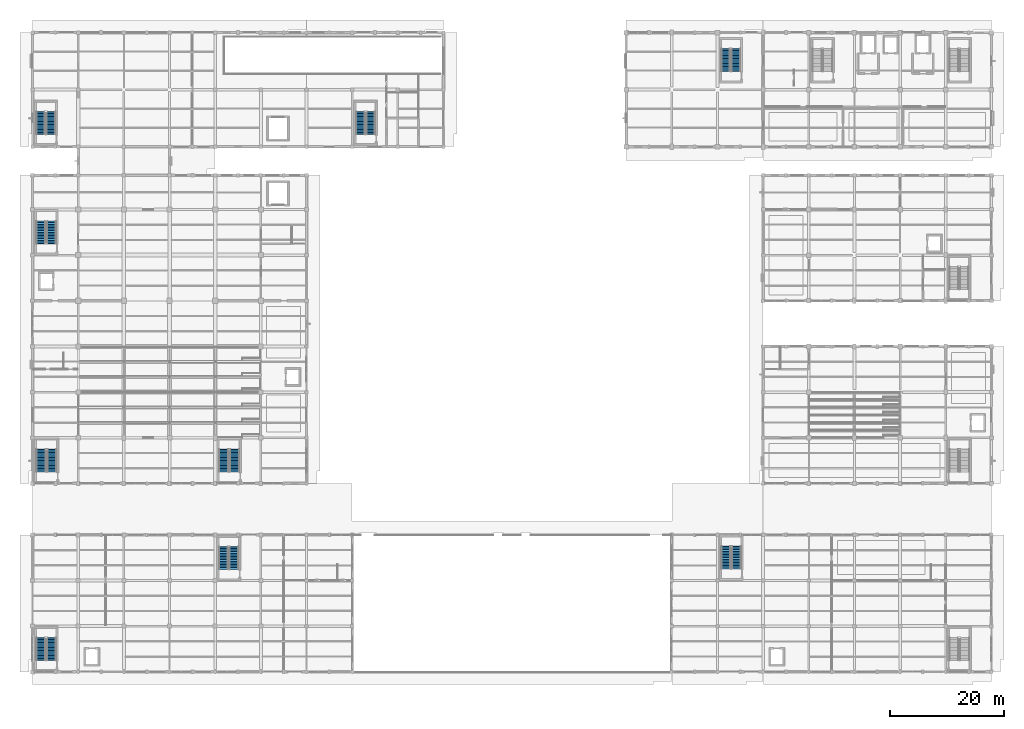
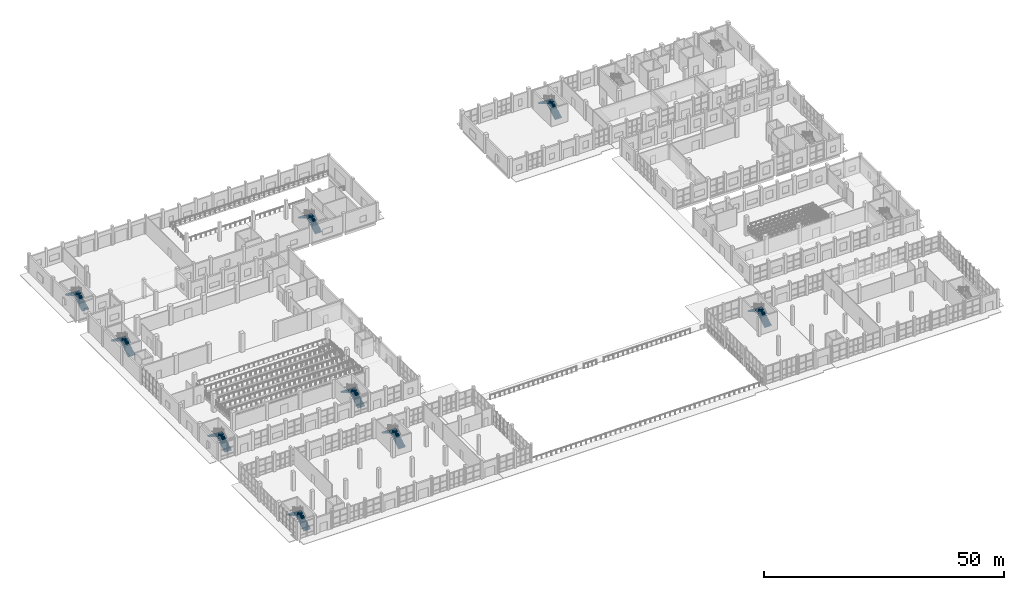
# One storey, part 134 of 156: 18 stair flights, 9 elements without a shape of their own.
"""IFC4 building model written with IfcOpenShell, lengths in metres."""

from ifc_helpers import new_model, si_unit, direction, frame, origin, place, context, subcontext, project, spatial, polyline, outline, extrude, material, type_object, element, aggregate, save


model = new_model("IFC4")

# Units and contexts
model_context = context("Model", 3, precision=1e-05, world=origin(), true_north=direction((0.0, 1.0)))
body_context = subcontext(model_context, "Body", "Model", "MODEL_VIEW")
ifc_project = project(units=[si_unit("LENGTHUNIT", "METRE"), si_unit("AREAUNIT", "SQUARE_METRE"), si_unit("VOLUMEUNIT", "CUBIC_METRE"), si_unit("PLANEANGLEUNIT", "RADIAN"), si_unit("MASSUNIT", "GRAM", prefix="KILO")], contexts=[model_context])

# Site, building, storey
site_placement = place(None, origin())
site = spatial("IfcSite", under=ifc_project, at=site_placement, CompositionType="ELEMENT")
building_placement = place(site_placement, origin())
building = spatial("IfcBuilding", under=site, at=building_placement, Name="Luwemba Playhouse", CompositionType="ELEMENT")
storey_placement = place(building_placement, origin())
storey = spatial("IfcBuildingStorey", under=building, at=storey_placement, Name="L00", CompositionType="ELEMENT", Elevation=0.0)

# Stair, stair flights
ifc_material = material(Name="Concrete C40/50", Category="concrete")
stair_type_1 = type_object("IfcStairType", Name="STR-DL-01", PredefinedType="HALF_TURN_STAIR", material=ifc_material)
stair_1_placement = place(storey_placement, origin())
stair_1 = element("IfcStair", 1, at=stair_1_placement, inside=storey, type_object=stair_type_1, Name="L00 Main Auditorium South-West Escape Stair", PredefinedType="HALF_TURN_STAIR")
stair_flight_type_1 = type_object("IfcStairFlightType", Name="SFL-DL-01", PredefinedType="STRAIGHT", material=ifc_material)
stair_flight_1_placement = place(storey_placement, frame((7.39990234375, 38.0400390625, 0.0), z_axis=(0.0, 0.0, 1.0), x_axis=(0.0, 1.0, 0.0)))
stair_flight_1 = element("IfcStairFlight", 2, at=stair_flight_1_placement, type_object=stair_flight_type_1, Name="ST-01 flight 1", NumberOfRisers=15, NumberOfTreads=14, PredefinedType="STRAIGHT", RiserHeight=0.16, TreadLength=0.28, context=body_context, shape_type="SweptSolid", body=[
    extrude(outline(polyline([(-0.06005859375, -0.10009765625), (-0.06005859375, 0.0), (0.0, 0.0), (0.0, 0.159912109375), (0.280029296875, 0.159912109375), (0.280029296875, 0.320068359375), (0.56005859375, 0.320068359375), (0.56005859375, 0.47998046875), (0.840087890625, 0.47998046875), (0.840087890625, 0.639892578125), (1.1201171875, 0.639892578125), (1.1201171875, 0.800048828125), (1.39990234375, 0.800048828125), (1.39990234375, 0.9599609375), (1.679931640625, 0.9599609375), (1.679931640625, 1.1201171875), (1.9599609375, 1.1201171875), (1.9599609375, 1.280029296875), (2.239990234375, 1.280029296875), (2.239990234375, 1.43994140625), (2.52001953125, 1.43994140625), (2.52001953125, 1.60009765625), (2.800048828125, 1.60009765625), (2.800048828125, 1.760009765625), (3.080078125, 1.760009765625), (3.080078125, 1.919921875), (3.360107421875, 1.919921875), (3.360107421875, 2.080078125), (3.639892578125, 2.080078125), (3.639892578125, 2.239990234375), (3.919921875, 2.239990234375), (3.919921875, 2.39990234375), (3.97998046875, 2.39990234375), (3.97998046875, 2.239990234375), (3.919921875, 2.080078125), (0.280029296875, -0.10009765625), (-0.06005859375, -0.10009765625)])), frame((0.0, 0.85009765625, 0.0), z_axis=(0.0, -1.0, 0.0), x_axis=(1.0, 0.0, 0.0)), (0.0, 0.0, 1.0), 1.699951171875),
])
stair_flight_2_placement = place(storey_placement, frame((5.5, 41.9599609375, 2.39990234375), z_axis=(0.0, 0.0, 1.0), x_axis=(0.0, -1.0, 0.0)))
stair_flight_2 = element("IfcStairFlight", 3, at=stair_flight_2_placement, type_object=stair_flight_type_1, Name="ST-01 flight 2", NumberOfRisers=15, NumberOfTreads=14, PredefinedType="STRAIGHT", RiserHeight=0.16, TreadLength=0.28, context=body_context, shape_type="SweptSolid", body=[
    extrude(outline(polyline([(-0.06005859375, -0.10009765625), (-0.06005859375, 0.0), (0.0, 0.0), (0.0, 0.159912109375), (0.280029296875, 0.159912109375), (0.280029296875, 0.320068359375), (0.56005859375, 0.320068359375), (0.56005859375, 0.47998046875), (0.840087890625, 0.47998046875), (0.840087890625, 0.639892578125), (1.1201171875, 0.639892578125), (1.1201171875, 0.800048828125), (1.39990234375, 0.800048828125), (1.39990234375, 0.9599609375), (1.679931640625, 0.9599609375), (1.679931640625, 1.1201171875), (1.9599609375, 1.1201171875), (1.9599609375, 1.280029296875), (2.239990234375, 1.280029296875), (2.239990234375, 1.43994140625), (2.52001953125, 1.43994140625), (2.52001953125, 1.60009765625), (2.800048828125, 1.60009765625), (2.800048828125, 1.760009765625), (3.080078125, 1.760009765625), (3.080078125, 1.919921875), (3.360107421875, 1.919921875), (3.360107421875, 2.080078125), (3.639892578125, 2.080078125), (3.639892578125, 2.239990234375), (3.919921875, 2.239990234375), (3.919921875, 2.39990234375), (3.97998046875, 2.39990234375), (3.97998046875, 2.239990234375), (3.919921875, 2.080078125), (0.280029296875, -0.10009765625), (-0.06005859375, -0.10009765625)])), frame((0.0, 0.85009765625, 0.0), z_axis=(0.0, -1.0, 0.0), x_axis=(1.0, 0.0, 0.0)), (0.0, 0.0, 1.0), 1.699951171875),
])
aggregate(stair_1, [stair_flight_1, stair_flight_2])

stair_2_placement = place(storey_placement, origin())
stair_2 = element("IfcStair", 4, at=stair_2_placement, inside=storey, type_object=stair_type_1, Name="L00 Main Auditorium South-East Escape Stair", PredefinedType="HALF_TURN_STAIR")
stair_flight_3_placement = place(storey_placement, frame((39.39990234375, 38.0400390625, 0.0), z_axis=(0.0, 0.0, 1.0), x_axis=(0.0, 1.0, 0.0)))
stair_flight_3 = element("IfcStairFlight", 5, at=stair_flight_3_placement, type_object=stair_flight_type_1, Name="ST-02 flight 1", NumberOfRisers=15, NumberOfTreads=14, PredefinedType="STRAIGHT", RiserHeight=0.16, TreadLength=0.28, context=body_context, shape_type="SweptSolid", body=[
    extrude(outline(polyline([(-0.06005859375, -0.10009765625), (-0.06005859375, 0.0), (0.0, 0.0), (0.0, 0.159912109375), (0.280029296875, 0.159912109375), (0.280029296875, 0.320068359375), (0.56005859375, 0.320068359375), (0.56005859375, 0.47998046875), (0.840087890625, 0.47998046875), (0.840087890625, 0.639892578125), (1.1201171875, 0.639892578125), (1.1201171875, 0.800048828125), (1.39990234375, 0.800048828125), (1.39990234375, 0.9599609375), (1.679931640625, 0.9599609375), (1.679931640625, 1.1201171875), (1.9599609375, 1.1201171875), (1.9599609375, 1.280029296875), (2.239990234375, 1.280029296875), (2.239990234375, 1.43994140625), (2.52001953125, 1.43994140625), (2.52001953125, 1.60009765625), (2.800048828125, 1.60009765625), (2.800048828125, 1.760009765625), (3.080078125, 1.760009765625), (3.080078125, 1.919921875), (3.360107421875, 1.919921875), (3.360107421875, 2.080078125), (3.639892578125, 2.080078125), (3.639892578125, 2.239990234375), (3.919921875, 2.239990234375), (3.919921875, 2.39990234375), (3.97998046875, 2.39990234375), (3.97998046875, 2.239990234375), (3.919921875, 2.080078125), (0.280029296875, -0.10009765625), (-0.06005859375, -0.10009765625)])), frame((0.0, 0.85009765625, 0.0), z_axis=(0.0, -1.0, 0.0), x_axis=(1.0, 0.0, 0.0)), (0.0, 0.0, 1.0), 1.699951171875),
])
stair_flight_4_placement = place(storey_placement, frame((37.5, 41.9599609375, 2.39990234375), z_axis=(0.0, 0.0, 1.0), x_axis=(0.0, -1.0, 0.0)))
stair_flight_4 = element("IfcStairFlight", 6, at=stair_flight_4_placement, type_object=stair_flight_type_1, Name="ST-02 flight 2", NumberOfRisers=15, NumberOfTreads=14, PredefinedType="STRAIGHT", RiserHeight=0.16, TreadLength=0.28, context=body_context, shape_type="SweptSolid", body=[
    extrude(outline(polyline([(-0.06005859375, -0.10009765625), (-0.06005859375, 0.0), (0.0, 0.0), (0.0, 0.159912109375), (0.280029296875, 0.159912109375), (0.280029296875, 0.320068359375), (0.56005859375, 0.320068359375), (0.56005859375, 0.47998046875), (0.840087890625, 0.47998046875), (0.840087890625, 0.639892578125), (1.1201171875, 0.639892578125), (1.1201171875, 0.800048828125), (1.39990234375, 0.800048828125), (1.39990234375, 0.9599609375), (1.679931640625, 0.9599609375), (1.679931640625, 1.1201171875), (1.9599609375, 1.1201171875), (1.9599609375, 1.280029296875), (2.239990234375, 1.280029296875), (2.239990234375, 1.43994140625), (2.52001953125, 1.43994140625), (2.52001953125, 1.60009765625), (2.800048828125, 1.60009765625), (2.800048828125, 1.760009765625), (3.080078125, 1.760009765625), (3.080078125, 1.919921875), (3.360107421875, 1.919921875), (3.360107421875, 2.080078125), (3.639892578125, 2.080078125), (3.639892578125, 2.239990234375), (3.919921875, 2.239990234375), (3.919921875, 2.39990234375), (3.97998046875, 2.39990234375), (3.97998046875, 2.239990234375), (3.919921875, 2.080078125), (0.280029296875, -0.10009765625), (-0.06005859375, -0.10009765625)])), frame((0.0, 0.85009765625, 0.0), z_axis=(0.0, -1.0, 0.0), x_axis=(1.0, 0.0, 0.0)), (0.0, 0.0, 1.0), 1.699951171875),
])
aggregate(stair_2, [stair_flight_3, stair_flight_4])

stair_type_2 = type_object("IfcStairType", Name="STR-DL-03", PredefinedType="HALF_TURN_STAIR", material=ifc_material)
stair_3_placement = place(storey_placement, origin())
stair_3 = element("IfcStair", 7, at=stair_3_placement, inside=storey, type_object=stair_type_2, Name="L00 Stage House West Escape Stair", PredefinedType="HALF_TURN_STAIR")
stair_flight_type_2 = type_object("IfcStairFlightType", Name="SFL-DL-03", PredefinedType="STRAIGHT", material=ifc_material)
stair_flight_5_placement = place(storey_placement, frame((7.324951171875, 78.0400390625, 0.0), z_axis=(0.0, 0.0, 1.0), x_axis=(0.0, 1.0, 0.0)))
stair_flight_5 = element("IfcStairFlight", 8, at=stair_flight_5_placement, type_object=stair_flight_type_2, Name="ST-03 flight 1", NumberOfRisers=15, NumberOfTreads=14, PredefinedType="STRAIGHT", RiserHeight=0.16, TreadLength=0.28, context=body_context, shape_type="SweptSolid", body=[
    extrude(outline(polyline([(-0.06005859375, -0.10009765625), (-0.06005859375, 0.0), (0.0, 0.0), (0.0, 0.159912109375), (0.280029296875, 0.159912109375), (0.280029296875, 0.320068359375), (0.56005859375, 0.320068359375), (0.56005859375, 0.47998046875), (0.840087890625, 0.47998046875), (0.840087890625, 0.639892578125), (1.1201171875, 0.639892578125), (1.1201171875, 0.800048828125), (1.39990234375, 0.800048828125), (1.39990234375, 0.9599609375), (1.679931640625, 0.9599609375), (1.679931640625, 1.1201171875), (1.9599609375, 1.1201171875), (1.9599609375, 1.280029296875), (2.239990234375, 1.280029296875), (2.239990234375, 1.43994140625), (2.52001953125, 1.43994140625), (2.52001953125, 1.60009765625), (2.800048828125, 1.60009765625), (2.800048828125, 1.760009765625), (3.080078125, 1.760009765625), (3.080078125, 1.919921875), (3.360107421875, 1.919921875), (3.360107421875, 2.080078125), (3.639892578125, 2.080078125), (3.639892578125, 2.239990234375), (3.919921875, 2.239990234375), (3.919921875, 2.39990234375), (3.97998046875, 2.39990234375), (3.97998046875, 2.239990234375), (3.919921875, 2.080078125), (0.280029296875, -0.10009765625), (-0.06005859375, -0.10009765625)])), frame((0.0, 0.824951171875, 0.0), z_axis=(0.0, -1.0, 0.0), x_axis=(1.0, 0.0, 0.0)), (0.0, 0.0, 1.0), 1.64990234375),
])
stair_flight_6_placement = place(storey_placement, frame((5.47509765625, 81.9599609375, 2.39990234375), z_axis=(0.0, 0.0, 1.0), x_axis=(0.0, -1.0, 0.0)))
stair_flight_6 = element("IfcStairFlight", 9, at=stair_flight_6_placement, type_object=stair_flight_type_2, Name="ST-03 flight 2", NumberOfRisers=15, NumberOfTreads=14, PredefinedType="STRAIGHT", RiserHeight=0.16, TreadLength=0.28, context=body_context, shape_type="SweptSolid", body=[
    extrude(outline(polyline([(-0.06005859375, -0.10009765625), (-0.06005859375, 0.0), (0.0, 0.0), (0.0, 0.159912109375), (0.280029296875, 0.159912109375), (0.280029296875, 0.320068359375), (0.56005859375, 0.320068359375), (0.56005859375, 0.47998046875), (0.840087890625, 0.47998046875), (0.840087890625, 0.639892578125), (1.1201171875, 0.639892578125), (1.1201171875, 0.800048828125), (1.39990234375, 0.800048828125), (1.39990234375, 0.9599609375), (1.679931640625, 0.9599609375), (1.679931640625, 1.1201171875), (1.9599609375, 1.1201171875), (1.9599609375, 1.280029296875), (2.239990234375, 1.280029296875), (2.239990234375, 1.43994140625), (2.52001953125, 1.43994140625), (2.52001953125, 1.60009765625), (2.800048828125, 1.60009765625), (2.800048828125, 1.760009765625), (3.080078125, 1.760009765625), (3.080078125, 1.919921875), (3.360107421875, 1.919921875), (3.360107421875, 2.080078125), (3.639892578125, 2.080078125), (3.639892578125, 2.239990234375), (3.919921875, 2.239990234375), (3.919921875, 2.39990234375), (3.97998046875, 2.39990234375), (3.97998046875, 2.239990234375), (3.919921875, 2.080078125), (0.280029296875, -0.10009765625), (-0.06005859375, -0.10009765625)])), frame((0.0, 0.824951171875, 0.0), z_axis=(0.0, -1.0, 0.0), x_axis=(1.0, 0.0, 0.0)), (0.0, 0.0, 1.0), 1.64990234375),
])
aggregate(stair_3, [stair_flight_5, stair_flight_6])

stair_4_placement = place(storey_placement, origin())
stair_4 = element("IfcStair", 10, at=stair_4_placement, inside=storey, type_object=stair_type_2, Name="L00 Grand Foyer South-West Escape Stair", PredefinedType="HALF_TURN_STAIR")
stair_flight_7_placement = place(storey_placement, frame((7.324951171875, 5.0400390625, 0.0), z_axis=(0.0, 0.0, 1.0), x_axis=(0.0, 1.0, 0.0)))
stair_flight_7 = element("IfcStairFlight", 11, at=stair_flight_7_placement, type_object=stair_flight_type_2, Name="ST-04 flight 1", NumberOfRisers=15, NumberOfTreads=14, PredefinedType="STRAIGHT", RiserHeight=0.16, TreadLength=0.28, context=body_context, shape_type="SweptSolid", body=[
    extrude(outline(polyline([(-0.06005859375, -0.10009765625), (-0.06005859375, 0.0), (0.0, 0.0), (0.0, 0.159912109375), (0.280029296875, 0.159912109375), (0.280029296875, 0.320068359375), (0.56005859375, 0.320068359375), (0.56005859375, 0.47998046875), (0.840087890625, 0.47998046875), (0.840087890625, 0.639892578125), (1.1201171875, 0.639892578125), (1.1201171875, 0.800048828125), (1.39990234375, 0.800048828125), (1.39990234375, 0.9599609375), (1.679931640625, 0.9599609375), (1.679931640625, 1.1201171875), (1.9599609375, 1.1201171875), (1.9599609375, 1.280029296875), (2.239990234375, 1.280029296875), (2.239990234375, 1.43994140625), (2.52001953125, 1.43994140625), (2.52001953125, 1.60009765625), (2.800048828125, 1.60009765625), (2.800048828125, 1.760009765625), (3.080078125, 1.760009765625), (3.080078125, 1.919921875), (3.360107421875, 1.919921875), (3.360107421875, 2.080078125), (3.639892578125, 2.080078125), (3.639892578125, 2.239990234375), (3.919921875, 2.239990234375), (3.919921875, 2.39990234375), (3.97998046875, 2.39990234375), (3.97998046875, 2.239990234375), (3.919921875, 2.080078125), (0.280029296875, -0.10009765625), (-0.06005859375, -0.10009765625)])), frame((0.0, 0.824951171875, 0.0), z_axis=(0.0, -1.0, 0.0), x_axis=(1.0, 0.0, 0.0)), (0.0, 0.0, 1.0), 1.64990234375),
])
stair_flight_8_placement = place(storey_placement, frame((5.47509765625, 8.9599609375, 2.39990234375), z_axis=(0.0, 0.0, 1.0), x_axis=(0.0, -1.0, 0.0)))
stair_flight_8 = element("IfcStairFlight", 12, at=stair_flight_8_placement, type_object=stair_flight_type_2, Name="ST-04 flight 2", NumberOfRisers=15, NumberOfTreads=14, PredefinedType="STRAIGHT", RiserHeight=0.16, TreadLength=0.28, context=body_context, shape_type="SweptSolid", body=[
    extrude(outline(polyline([(-0.06005859375, -0.10009765625), (-0.06005859375, 0.0), (0.0, 0.0), (0.0, 0.159912109375), (0.280029296875, 0.159912109375), (0.280029296875, 0.320068359375), (0.56005859375, 0.320068359375), (0.56005859375, 0.47998046875), (0.840087890625, 0.47998046875), (0.840087890625, 0.639892578125), (1.1201171875, 0.639892578125), (1.1201171875, 0.800048828125), (1.39990234375, 0.800048828125), (1.39990234375, 0.9599609375), (1.679931640625, 0.9599609375), (1.679931640625, 1.1201171875), (1.9599609375, 1.1201171875), (1.9599609375, 1.280029296875), (2.239990234375, 1.280029296875), (2.239990234375, 1.43994140625), (2.52001953125, 1.43994140625), (2.52001953125, 1.60009765625), (2.800048828125, 1.60009765625), (2.800048828125, 1.760009765625), (3.080078125, 1.760009765625), (3.080078125, 1.919921875), (3.360107421875, 1.919921875), (3.360107421875, 2.080078125), (3.639892578125, 2.080078125), (3.639892578125, 2.239990234375), (3.919921875, 2.239990234375), (3.919921875, 2.39990234375), (3.97998046875, 2.39990234375), (3.97998046875, 2.239990234375), (3.919921875, 2.080078125), (0.280029296875, -0.10009765625), (-0.06005859375, -0.10009765625)])), frame((0.0, 0.824951171875, 0.0), z_axis=(0.0, -1.0, 0.0), x_axis=(1.0, 0.0, 0.0)), (0.0, 0.0, 1.0), 1.64990234375),
])
aggregate(stair_4, [stair_flight_7, stair_flight_8])

stair_5_placement = place(storey_placement, origin())
stair_5 = element("IfcStair", 13, at=stair_5_placement, inside=storey, type_object=stair_type_2, Name="L00 Grand Foyer North-East Escape Stair", PredefinedType="HALF_TURN_STAIR")
stair_flight_9_placement = place(storey_placement, frame((39.324951171875, 20.9599609375, 0.0), z_axis=(0.0, 0.0, 1.0), x_axis=(0.0, 1.0, 0.0)))
stair_flight_9 = element("IfcStairFlight", 14, at=stair_flight_9_placement, type_object=stair_flight_type_2, Name="ST-13 flight 1", NumberOfRisers=15, NumberOfTreads=14, PredefinedType="STRAIGHT", RiserHeight=0.16, TreadLength=0.28, context=body_context, shape_type="SweptSolid", body=[
    extrude(outline(polyline([(-0.06005859375, -0.10009765625), (-0.06005859375, 0.0), (0.0, 0.0), (0.0, 0.159912109375), (0.280029296875, 0.159912109375), (0.280029296875, 0.320068359375), (0.56005859375, 0.320068359375), (0.56005859375, 0.47998046875), (0.840087890625, 0.47998046875), (0.840087890625, 0.639892578125), (1.1201171875, 0.639892578125), (1.1201171875, 0.800048828125), (1.39990234375, 0.800048828125), (1.39990234375, 0.9599609375), (1.679931640625, 0.9599609375), (1.679931640625, 1.1201171875), (1.9599609375, 1.1201171875), (1.9599609375, 1.280029296875), (2.239990234375, 1.280029296875), (2.239990234375, 1.43994140625), (2.52001953125, 1.43994140625), (2.52001953125, 1.60009765625), (2.800048828125, 1.60009765625), (2.800048828125, 1.760009765625), (3.080078125, 1.760009765625), (3.080078125, 1.919921875), (3.360107421875, 1.919921875), (3.360107421875, 2.080078125), (3.639892578125, 2.080078125), (3.639892578125, 2.239990234375), (3.919921875, 2.239990234375), (3.919921875, 2.39990234375), (3.97998046875, 2.39990234375), (3.97998046875, 2.239990234375), (3.919921875, 2.080078125), (0.280029296875, -0.10009765625), (-0.06005859375, -0.10009765625)])), frame((0.0, 0.824951171875, 0.0), z_axis=(0.0, -1.0, 0.0), x_axis=(1.0, 0.0, 0.0)), (0.0, 0.0, 1.0), 1.64990234375),
])
stair_flight_10_placement = place(storey_placement, frame((37.47509765625, 24.8798828125, 2.39990234375), z_axis=(0.0, 0.0, 1.0), x_axis=(0.0, -1.0, 0.0)))
stair_flight_10 = element("IfcStairFlight", 15, at=stair_flight_10_placement, type_object=stair_flight_type_2, Name="ST-13 flight 2", NumberOfRisers=15, NumberOfTreads=14, PredefinedType="STRAIGHT", RiserHeight=0.16, TreadLength=0.28, context=body_context, shape_type="SweptSolid", body=[
    extrude(outline(polyline([(-0.06005859375, -0.10009765625), (-0.06005859375, 0.0), (0.0, 0.0), (0.0, 0.159912109375), (0.280029296875, 0.159912109375), (0.280029296875, 0.320068359375), (0.56005859375, 0.320068359375), (0.56005859375, 0.47998046875), (0.840087890625, 0.47998046875), (0.840087890625, 0.639892578125), (1.1201171875, 0.639892578125), (1.1201171875, 0.800048828125), (1.39990234375, 0.800048828125), (1.39990234375, 0.9599609375), (1.679931640625, 0.9599609375), (1.679931640625, 1.1201171875), (1.9599609375, 1.1201171875), (1.9599609375, 1.280029296875), (2.239990234375, 1.280029296875), (2.239990234375, 1.43994140625), (2.52001953125, 1.43994140625), (2.52001953125, 1.60009765625), (2.800048828125, 1.60009765625), (2.800048828125, 1.760009765625), (3.080078125, 1.760009765625), (3.080078125, 1.919921875), (3.360107421875, 1.919921875), (3.360107421875, 2.080078125), (3.639892578125, 2.080078125), (3.639892578125, 2.239990234375), (3.919921875, 2.239990234375), (3.919921875, 2.39990234375), (3.97998046875, 2.39990234375), (3.97998046875, 2.239990234375), (3.919921875, 2.080078125), (0.280029296875, -0.10009765625), (-0.06005859375, -0.10009765625)])), frame((0.0, 0.824951171875, 0.0), z_axis=(0.0, -1.0, 0.0), x_axis=(1.0, 0.0, 0.0)), (0.0, 0.0, 1.0), 1.64990234375),
])
aggregate(stair_5, [stair_flight_9, stair_flight_10])

stair_6_placement = place(storey_placement, origin())
stair_6 = element("IfcStair", 16, at=stair_6_placement, inside=storey, type_object=stair_type_2, Name="L00 Civic Cafe North-West Escape Stair", PredefinedType="HALF_TURN_STAIR")
stair_flight_11_placement = place(storey_placement, frame((127.324951171875, 21.0400390625, 0.0), z_axis=(0.0, 0.0, 1.0), x_axis=(0.0, 1.0, 0.0)))
stair_flight_11 = element("IfcStairFlight", 17, at=stair_flight_11_placement, type_object=stair_flight_type_2, Name="ST-14 flight 1", NumberOfRisers=15, NumberOfTreads=14, PredefinedType="STRAIGHT", RiserHeight=0.16, TreadLength=0.28, context=body_context, shape_type="SweptSolid", body=[
    extrude(outline(polyline([(-0.06005859375, -0.10009765625), (-0.06005859375, 0.0), (0.0, 0.0), (0.0, 0.159912109375), (0.280029296875, 0.159912109375), (0.280029296875, 0.320068359375), (0.56005859375, 0.320068359375), (0.56005859375, 0.47998046875), (0.840087890625, 0.47998046875), (0.840087890625, 0.639892578125), (1.1201171875, 0.639892578125), (1.1201171875, 0.800048828125), (1.39990234375, 0.800048828125), (1.39990234375, 0.9599609375), (1.679931640625, 0.9599609375), (1.679931640625, 1.1201171875), (1.9599609375, 1.1201171875), (1.9599609375, 1.280029296875), (2.239990234375, 1.280029296875), (2.239990234375, 1.43994140625), (2.52001953125, 1.43994140625), (2.52001953125, 1.60009765625), (2.800048828125, 1.60009765625), (2.800048828125, 1.760009765625), (3.080078125, 1.760009765625), (3.080078125, 1.919921875), (3.360107421875, 1.919921875), (3.360107421875, 2.080078125), (3.639892578125, 2.080078125), (3.639892578125, 2.239990234375), (3.919921875, 2.239990234375), (3.919921875, 2.39990234375), (3.97998046875, 2.39990234375), (3.97998046875, 2.239990234375), (3.919921875, 2.080078125), (0.280029296875, -0.10009765625), (-0.06005859375, -0.10009765625)])), frame((0.0, 0.824951171875, 0.0), z_axis=(0.0, -1.0, 0.0), x_axis=(1.0, 0.0, 0.0)), (0.0, 0.0, 1.0), 1.64990234375),
])
stair_flight_12_placement = place(storey_placement, frame((125.47509765625, 24.9599609375, 2.39990234375), z_axis=(0.0, 0.0, 1.0), x_axis=(0.0, -1.0, 0.0)))
stair_flight_12 = element("IfcStairFlight", 18, at=stair_flight_12_placement, type_object=stair_flight_type_2, Name="ST-14 flight 2", NumberOfRisers=15, NumberOfTreads=14, PredefinedType="STRAIGHT", RiserHeight=0.16, TreadLength=0.28, context=body_context, shape_type="SweptSolid", body=[
    extrude(outline(polyline([(-0.06005859375, -0.10009765625), (-0.06005859375, 0.0), (0.0, 0.0), (0.0, 0.159912109375), (0.280029296875, 0.159912109375), (0.280029296875, 0.320068359375), (0.56005859375, 0.320068359375), (0.56005859375, 0.47998046875), (0.840087890625, 0.47998046875), (0.840087890625, 0.639892578125), (1.1201171875, 0.639892578125), (1.1201171875, 0.800048828125), (1.39990234375, 0.800048828125), (1.39990234375, 0.9599609375), (1.679931640625, 0.9599609375), (1.679931640625, 1.1201171875), (1.9599609375, 1.1201171875), (1.9599609375, 1.280029296875), (2.239990234375, 1.280029296875), (2.239990234375, 1.43994140625), (2.52001953125, 1.43994140625), (2.52001953125, 1.60009765625), (2.800048828125, 1.60009765625), (2.800048828125, 1.760009765625), (3.080078125, 1.760009765625), (3.080078125, 1.919921875), (3.360107421875, 1.919921875), (3.360107421875, 2.080078125), (3.639892578125, 2.080078125), (3.639892578125, 2.239990234375), (3.919921875, 2.239990234375), (3.919921875, 2.39990234375), (3.97998046875, 2.39990234375), (3.97998046875, 2.239990234375), (3.919921875, 2.080078125), (0.280029296875, -0.10009765625), (-0.06005859375, -0.10009765625)])), frame((0.0, 0.824951171875, 0.0), z_axis=(0.0, -1.0, 0.0), x_axis=(1.0, 0.0, 0.0)), (0.0, 0.0, 1.0), 1.64990234375),
])
aggregate(stair_6, [stair_flight_11, stair_flight_12])

stair_type_3 = type_object("IfcStairType", Name="STR-DL-05", PredefinedType="HALF_TURN_STAIR", material=ifc_material)
stair_7_placement = place(storey_placement, origin())
stair_7 = element("IfcStair", 19, at=stair_7_placement, inside=storey, type_object=stair_type_3, Name="L00 Scene Dock West Escape Stair", PredefinedType="HALF_TURN_STAIR")
stair_flight_type_3 = type_object("IfcStairFlightType", Name="SFL-DL-05", PredefinedType="STRAIGHT", material=ifc_material)
stair_flight_13_placement = place(storey_placement, frame((7.25, 97.199951171875, 0.0), z_axis=(0.0, 0.0, 1.0), x_axis=(0.0, 1.0, 0.0)))
stair_flight_13 = element("IfcStairFlight", 20, at=stair_flight_13_placement, type_object=stair_flight_type_3, Name="ST-08 flight 1", NumberOfRisers=15, NumberOfTreads=14, PredefinedType="STRAIGHT", RiserHeight=0.16, TreadLength=0.28, context=body_context, shape_type="SweptSolid", body=[
    extrude(outline(polyline([(-0.06005859375, -0.10009765625), (-0.06005859375, 0.0), (0.0, 0.0), (0.0, 0.159912109375), (0.280029296875, 0.159912109375), (0.280029296875, 0.320068359375), (0.56005859375, 0.320068359375), (0.56005859375, 0.47998046875), (0.840087890625, 0.47998046875), (0.840087890625, 0.639892578125), (1.1201171875, 0.639892578125), (1.1201171875, 0.800048828125), (1.39990234375, 0.800048828125), (1.39990234375, 0.9599609375), (1.679931640625, 0.9599609375), (1.679931640625, 1.1201171875), (1.9599609375, 1.1201171875), (1.9599609375, 1.280029296875), (2.239990234375, 1.280029296875), (2.239990234375, 1.43994140625), (2.52001953125, 1.43994140625), (2.52001953125, 1.60009765625), (2.800048828125, 1.60009765625), (2.800048828125, 1.760009765625), (3.080078125, 1.760009765625), (3.080078125, 1.919921875), (3.360107421875, 1.919921875), (3.360107421875, 2.080078125), (3.639892578125, 2.080078125), (3.639892578125, 2.239990234375), (3.919921875, 2.239990234375), (3.919921875, 2.39990234375), (3.97998046875, 2.39990234375), (3.97998046875, 2.239990234375), (3.919921875, 2.080078125), (0.280029296875, -0.10009765625), (-0.06005859375, -0.10009765625)])), frame((0.0, 0.800048828125, 0.0), z_axis=(0.0, -1.0, 0.0), x_axis=(1.0, 0.0, 0.0)), (0.0, 0.0, 1.0), 1.60009765625),
])
stair_flight_14_placement = place(storey_placement, frame((5.449951171875, 101.1201171875, 2.39990234375), z_axis=(0.0, 0.0, 1.0), x_axis=(0.0, -1.0, 0.0)))
stair_flight_14 = element("IfcStairFlight", 21, at=stair_flight_14_placement, type_object=stair_flight_type_3, Name="ST-08 flight 2", NumberOfRisers=15, NumberOfTreads=14, PredefinedType="STRAIGHT", RiserHeight=0.16, TreadLength=0.28, context=body_context, shape_type="SweptSolid", body=[
    extrude(outline(polyline([(-0.06005859375, -0.10009765625), (-0.06005859375, 0.0), (0.0, 0.0), (0.0, 0.159912109375), (0.280029296875, 0.159912109375), (0.280029296875, 0.320068359375), (0.56005859375, 0.320068359375), (0.56005859375, 0.47998046875), (0.840087890625, 0.47998046875), (0.840087890625, 0.639892578125), (1.1201171875, 0.639892578125), (1.1201171875, 0.800048828125), (1.39990234375, 0.800048828125), (1.39990234375, 0.9599609375), (1.679931640625, 0.9599609375), (1.679931640625, 1.1201171875), (1.9599609375, 1.1201171875), (1.9599609375, 1.280029296875), (2.239990234375, 1.280029296875), (2.239990234375, 1.43994140625), (2.52001953125, 1.43994140625), (2.52001953125, 1.60009765625), (2.800048828125, 1.60009765625), (2.800048828125, 1.760009765625), (3.080078125, 1.760009765625), (3.080078125, 1.919921875), (3.360107421875, 1.919921875), (3.360107421875, 2.080078125), (3.639892578125, 2.080078125), (3.639892578125, 2.239990234375), (3.919921875, 2.239990234375), (3.919921875, 2.39990234375), (3.97998046875, 2.39990234375), (3.97998046875, 2.239990234375), (3.919921875, 2.080078125), (0.280029296875, -0.10009765625), (-0.06005859375, -0.10009765625)])), frame((0.0, 0.800048828125, 0.0), z_axis=(0.0, -1.0, 0.0), x_axis=(1.0, 0.0, 0.0)), (0.0, 0.0, 1.0), 1.60009765625),
])
aggregate(stair_7, [stair_flight_13, stair_flight_14])

stair_8_placement = place(storey_placement, origin())
stair_8 = element("IfcStair", 22, at=stair_8_placement, inside=storey, type_object=stair_type_3, Name="L00 Workshops East Escape Stair", PredefinedType="HALF_TURN_STAIR")
stair_flight_15_placement = place(storey_placement, frame((63.25, 97.199951171875, 0.0), z_axis=(0.0, 0.0, 1.0), x_axis=(0.0, 1.0, 0.0)))
stair_flight_15 = element("IfcStairFlight", 23, at=stair_flight_15_placement, type_object=stair_flight_type_3, Name="ST-15 flight 1", NumberOfRisers=15, NumberOfTreads=14, PredefinedType="STRAIGHT", RiserHeight=0.16, TreadLength=0.28, context=body_context, shape_type="SweptSolid", body=[
    extrude(outline(polyline([(-0.06005859375, -0.10009765625), (-0.06005859375, 0.0), (0.0, 0.0), (0.0, 0.159912109375), (0.280029296875, 0.159912109375), (0.280029296875, 0.320068359375), (0.56005859375, 0.320068359375), (0.56005859375, 0.47998046875), (0.840087890625, 0.47998046875), (0.840087890625, 0.639892578125), (1.1201171875, 0.639892578125), (1.1201171875, 0.800048828125), (1.39990234375, 0.800048828125), (1.39990234375, 0.9599609375), (1.679931640625, 0.9599609375), (1.679931640625, 1.1201171875), (1.9599609375, 1.1201171875), (1.9599609375, 1.280029296875), (2.239990234375, 1.280029296875), (2.239990234375, 1.43994140625), (2.52001953125, 1.43994140625), (2.52001953125, 1.60009765625), (2.800048828125, 1.60009765625), (2.800048828125, 1.760009765625), (3.080078125, 1.760009765625), (3.080078125, 1.919921875), (3.360107421875, 1.919921875), (3.360107421875, 2.080078125), (3.639892578125, 2.080078125), (3.639892578125, 2.239990234375), (3.919921875, 2.239990234375), (3.919921875, 2.39990234375), (3.97998046875, 2.39990234375), (3.97998046875, 2.239990234375), (3.919921875, 2.080078125), (0.280029296875, -0.10009765625), (-0.06005859375, -0.10009765625)])), frame((0.0, 0.800048828125, 0.0), z_axis=(0.0, -1.0, 0.0), x_axis=(1.0, 0.0, 0.0)), (0.0, 0.0, 1.0), 1.60009765625),
])
stair_flight_16_placement = place(storey_placement, frame((61.449951171875, 101.1201171875, 2.39990234375), z_axis=(0.0, 0.0, 1.0), x_axis=(0.0, -1.0, 0.0)))
stair_flight_16 = element("IfcStairFlight", 24, at=stair_flight_16_placement, type_object=stair_flight_type_3, Name="ST-15 flight 2", NumberOfRisers=15, NumberOfTreads=14, PredefinedType="STRAIGHT", RiserHeight=0.16, TreadLength=0.28, context=body_context, shape_type="SweptSolid", body=[
    extrude(outline(polyline([(-0.06005859375, -0.10009765625), (-0.06005859375, 0.0), (0.0, 0.0), (0.0, 0.159912109375), (0.280029296875, 0.159912109375), (0.280029296875, 0.320068359375), (0.56005859375, 0.320068359375), (0.56005859375, 0.47998046875), (0.840087890625, 0.47998046875), (0.840087890625, 0.639892578125), (1.1201171875, 0.639892578125), (1.1201171875, 0.800048828125), (1.39990234375, 0.800048828125), (1.39990234375, 0.9599609375), (1.679931640625, 0.9599609375), (1.679931640625, 1.1201171875), (1.9599609375, 1.1201171875), (1.9599609375, 1.280029296875), (2.239990234375, 1.280029296875), (2.239990234375, 1.43994140625), (2.52001953125, 1.43994140625), (2.52001953125, 1.60009765625), (2.800048828125, 1.60009765625), (2.800048828125, 1.760009765625), (3.080078125, 1.760009765625), (3.080078125, 1.919921875), (3.360107421875, 1.919921875), (3.360107421875, 2.080078125), (3.639892578125, 2.080078125), (3.639892578125, 2.239990234375), (3.919921875, 2.239990234375), (3.919921875, 2.39990234375), (3.97998046875, 2.39990234375), (3.97998046875, 2.239990234375), (3.919921875, 2.080078125), (0.280029296875, -0.10009765625), (-0.06005859375, -0.10009765625)])), frame((0.0, 0.800048828125, 0.0), z_axis=(0.0, -1.0, 0.0), x_axis=(1.0, 0.0, 0.0)), (0.0, 0.0, 1.0), 1.60009765625),
])
aggregate(stair_8, [stair_flight_15, stair_flight_16])

stair_9_placement = place(storey_placement, origin())
stair_9 = element("IfcStair", 25, at=stair_9_placement, inside=storey, type_object=stair_type_3, Name="L00 Conservatory West Escape Stair", PredefinedType="HALF_TURN_STAIR")
stair_flight_17_placement = place(storey_placement, frame((127.25, 108.199951171875, 0.0), z_axis=(0.0, 0.0, 1.0), x_axis=(0.0, 1.0, 0.0)))
stair_flight_17 = element("IfcStairFlight", 26, at=stair_flight_17_placement, type_object=stair_flight_type_3, Name="ST-16 flight 1", NumberOfRisers=15, NumberOfTreads=14, PredefinedType="STRAIGHT", RiserHeight=0.16, TreadLength=0.28, context=body_context, shape_type="SweptSolid", body=[
    extrude(outline(polyline([(-0.06005859375, -0.10009765625), (-0.06005859375, 0.0), (0.0, 0.0), (0.0, 0.159912109375), (0.280029296875, 0.159912109375), (0.280029296875, 0.320068359375), (0.56005859375, 0.320068359375), (0.56005859375, 0.47998046875), (0.840087890625, 0.47998046875), (0.840087890625, 0.639892578125), (1.1201171875, 0.639892578125), (1.1201171875, 0.800048828125), (1.39990234375, 0.800048828125), (1.39990234375, 0.9599609375), (1.679931640625, 0.9599609375), (1.679931640625, 1.1201171875), (1.9599609375, 1.1201171875), (1.9599609375, 1.280029296875), (2.239990234375, 1.280029296875), (2.239990234375, 1.43994140625), (2.52001953125, 1.43994140625), (2.52001953125, 1.60009765625), (2.800048828125, 1.60009765625), (2.800048828125, 1.760009765625), (3.080078125, 1.760009765625), (3.080078125, 1.919921875), (3.360107421875, 1.919921875), (3.360107421875, 2.080078125), (3.639892578125, 2.080078125), (3.639892578125, 2.239990234375), (3.919921875, 2.239990234375), (3.919921875, 2.39990234375), (3.97998046875, 2.39990234375), (3.97998046875, 2.239990234375), (3.919921875, 2.080078125), (0.280029296875, -0.10009765625), (-0.06005859375, -0.10009765625)])), frame((0.0, 0.800048828125, 0.0), z_axis=(0.0, -1.0, 0.0), x_axis=(1.0, 0.0, 0.0)), (0.0, 0.0, 1.0), 1.60009765625),
])
stair_flight_18_placement = place(storey_placement, frame((125.449951171875, 112.1201171875, 2.39990234375), z_axis=(0.0, 0.0, 1.0), x_axis=(0.0, -1.0, 0.0)))
stair_flight_18 = element("IfcStairFlight", 27, at=stair_flight_18_placement, type_object=stair_flight_type_3, Name="ST-16 flight 2", NumberOfRisers=15, NumberOfTreads=14, PredefinedType="STRAIGHT", RiserHeight=0.16, TreadLength=0.28, context=body_context, shape_type="SweptSolid", body=[
    extrude(outline(polyline([(-0.06005859375, -0.10009765625), (-0.06005859375, 0.0), (0.0, 0.0), (0.0, 0.159912109375), (0.280029296875, 0.159912109375), (0.280029296875, 0.320068359375), (0.56005859375, 0.320068359375), (0.56005859375, 0.47998046875), (0.840087890625, 0.47998046875), (0.840087890625, 0.639892578125), (1.1201171875, 0.639892578125), (1.1201171875, 0.800048828125), (1.39990234375, 0.800048828125), (1.39990234375, 0.9599609375), (1.679931640625, 0.9599609375), (1.679931640625, 1.1201171875), (1.9599609375, 1.1201171875), (1.9599609375, 1.280029296875), (2.239990234375, 1.280029296875), (2.239990234375, 1.43994140625), (2.52001953125, 1.43994140625), (2.52001953125, 1.60009765625), (2.800048828125, 1.60009765625), (2.800048828125, 1.760009765625), (3.080078125, 1.760009765625), (3.080078125, 1.919921875), (3.360107421875, 1.919921875), (3.360107421875, 2.080078125), (3.639892578125, 2.080078125), (3.639892578125, 2.239990234375), (3.919921875, 2.239990234375), (3.919921875, 2.39990234375), (3.97998046875, 2.39990234375), (3.97998046875, 2.239990234375), (3.919921875, 2.080078125), (0.280029296875, -0.10009765625), (-0.06005859375, -0.10009765625)])), frame((0.0, 0.800048828125, 0.0), z_axis=(0.0, -1.0, 0.0), x_axis=(1.0, 0.0, 0.0)), (0.0, 0.0, 1.0), 1.60009765625),
])
aggregate(stair_9, [stair_flight_17, stair_flight_18])

save(model, "model.ifc")
